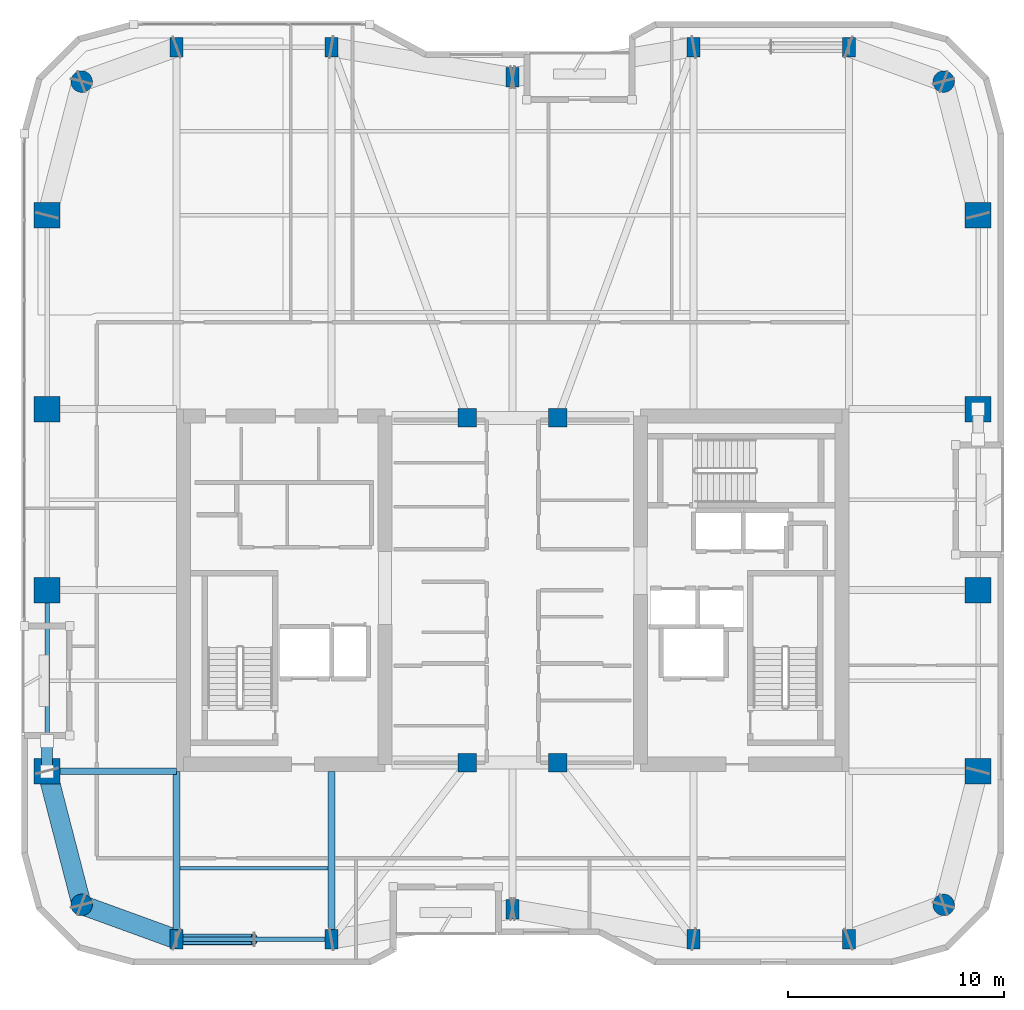
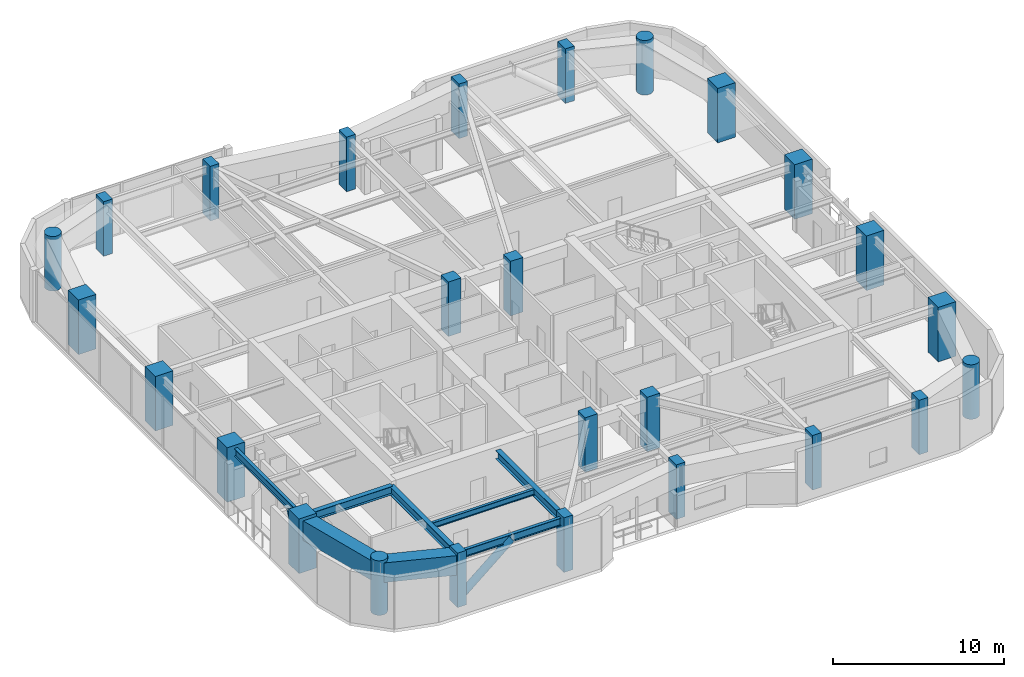
# One storey, part 1 of 21: 26 columns, 8 beams, 2 members.
"""IFC4 building model written with IfcOpenShell, lengths in metres."""

from ifc_helpers import new_model, si_unit, direction, frame, origin, origin_2d, place, context, subcontext, project, spatial, rectangle, hollow_rectangle, circle, hollow_circle, i_section, extrude, material, material_profile, profile_set, type_object, element, save


model = new_model("IFC4")

# Units and contexts
model_context = context("Model", 3, precision=1e-05, world=origin(), true_north=direction((0.0, 1.0)))
body_context = subcontext(model_context, "Body", "Model", "MODEL_VIEW")
ifc_project = project(units=[si_unit("LENGTHUNIT", "METRE"), si_unit("AREAUNIT", "SQUARE_METRE"), si_unit("VOLUMEUNIT", "CUBIC_METRE"), si_unit("PLANEANGLEUNIT", "RADIAN"), si_unit("MASSUNIT", "GRAM", prefix="KILO")], contexts=[model_context])

# Site, building, storey
site_placement = place(None, origin())
site = spatial("IfcSite", under=ifc_project, at=site_placement, CompositionType="ELEMENT")
building_placement = place(site_placement, origin())
building = spatial("IfcBuilding", under=site, at=building_placement, Name="Kiyonajd Concourse Tower", CompositionType="ELEMENT")
storey_placement = place(building_placement, frame((0.0, 0.0, 223.199951171875)))
storey = spatial("IfcBuildingStorey", under=building, at=storey_placement, Name="L56", CompositionType="ELEMENT", Elevation=223.199951171875)

# Columns
ifc_material_1 = material(Name="Concrete C60/75", Category="concrete")
ifc_material_profile_1 = material_profile(ifc_material_1, rectangle(XDim=0.60009765625, YDim=0.89990234375, at=origin_2d()), Name="RC-900x600")
ifc_profile_set_1 = profile_set([ifc_material_profile_1], Name="Concrete C60/75")
column_type_1 = type_object("IfcColumnType", Name="CL-BLADE-900", PredefinedType="COLUMN", material=ifc_profile_set_1)
for number, where, z_axis, x_axis, name in (
    (1, (32.39990234375, 19.800048828125, 0.0), (0.0, 0.0, 1.0), (1.0, 0.0, 0.0), "L56 Perimeter Bundled Tube Column"),
    (2, (32.39990234375, 61.199951171875, 0.0), (0.0, 0.0, 1.0), (1.0, 0.0, 0.0), "L56 Perimeter Bundled Tube Column"),
    (3, (39.60009765625, 19.800048828125, 0.0), (0.0, 0.0, 1.0), (1.0, 0.0, 0.0), "L56 Perimeter Bundled Tube Column"),
    (4, (39.60009765625, 61.199951171875, 0.0), (0.0, 0.0, 1.0), (1.0, 0.0, 0.0), "L56 Perimeter Bundled Tube Column"),
    (5, (48.0, 21.199951171875, 0.0), (0.0, 0.0, 1.0), (1.0, 0.0, 0.0), "L56 Perimeter Bundled Tube Column"),
    (6, (48.0, 59.800048828125, 0.0), (0.0, 0.0, 1.0), (1.0, 0.0, 0.0), "L56 Perimeter Bundled Tube Column"),
    (7, (56.39990234375, 19.800048828125, 0.0), (0.0, 0.0, 1.0), (1.0, 0.0, 0.0), "L56 Perimeter Bundled Tube Column"),
    (8, (56.39990234375, 61.199951171875, 0.0), (0.0, 0.0, 1.0), (1.0, 0.0, 0.0), "L56 Perimeter Bundled Tube Column"),
    (9, (63.60009765625, 19.800048828125, 0.0), (0.0, 0.0, 1.0), (1.0, 0.0, 0.0), "L56 Perimeter Bundled Tube Column"),
    (10, (63.60009765625, 61.199951171875, 0.0), (0.0, 0.0, 1.0), (1.0, 0.0, 0.0), "L56 Perimeter Bundled Tube Column"),
):
    element("IfcColumn", number, at=place(storey_placement, frame(where, z_axis=z_axis, x_axis=x_axis)), inside=storey, type_object=column_type_1, Name=name, PredefinedType="COLUMN", context=body_context, shape_type="SweptSolid", body=[
        extrude(rectangle(XDim=0.60009765625, YDim=0.89990234375, at=origin_2d()), origin(), (0.0, 0.0, 1.0), 3.900146484375),
    ])
ifc_material_profile_2 = material_profile(ifc_material_1, circle(Radius=0.5, at=origin_2d()), Name="RCC-D1000")
ifc_profile_set_2 = profile_set([ifc_material_profile_2], Name="Concrete C60/75")
column_type_2 = type_object("IfcColumnType", Name="CL-RND-1000", PredefinedType="COLUMN", material=ifc_profile_set_2)
for number, where, z_axis, x_axis, name in (
    (11, (28.0, 21.39990234375, 0.0), (0.0, 0.0, 1.0), (1.0, 0.0, 0.0), "L56 Bundled Tube Corner Column South West"),
    (12, (68.0, 21.39990234375, 0.0), (0.0, 0.0, 1.0), (1.0, 0.0, 0.0), "L56 Bundled Tube Corner Column South East"),
    (13, (68.0, 59.60009765625, 0.0), (0.0, 0.0, 1.0), (1.0, 0.0, 0.0), "L56 Bundled Tube Corner Column North East"),
    (14, (28.0, 59.60009765625, 0.0), (0.0, 0.0, 1.0), (1.0, 0.0, 0.0), "L56 Bundled Tube Corner Column North West"),
):
    element("IfcColumn", number, at=place(storey_placement, frame(where, z_axis=z_axis, x_axis=x_axis)), inside=storey, type_object=column_type_2, Name=name, PredefinedType="COLUMN", context=body_context, shape_type="SweptSolid", body=[
        extrude(circle(Radius=0.5, at=origin_2d()), origin(), (0.0, 0.0, 1.0), 3.900146484375),
    ])
ifc_material_2 = material(Name="Concrete C70/85", Category="concrete")
ifc_material_profile_3 = material_profile(ifc_material_2, rectangle(XDim=1.199951171875, YDim=1.199951171875, at=origin_2d()), Name="RC-1200x1200")
ifc_profile_set_3 = profile_set([ifc_material_profile_3], Name="Concrete C70/85")
column_type_3 = type_object("IfcColumnType", Name="CL-TUBE-1200", PredefinedType="COLUMN", material=ifc_profile_set_3)
for number, where, z_axis, x_axis, name in (
    (15, (26.39990234375, 27.60009765625, 0.0), (0.0, 0.0, 1.0), (1.0, 0.0, 0.0), "L56 Perimeter Bundled Tube Column"),
    (16, (69.60009765625, 27.60009765625, 0.0), (0.0, 0.0, 1.0), (1.0, 0.0, 0.0), "L56 Perimeter Bundled Tube Column"),
    (17, (26.39990234375, 36.0, 0.0), (0.0, 0.0, 1.0), (1.0, 0.0, 0.0), "L56 Perimeter Bundled Tube Column"),
    (18, (69.60009765625, 36.0, 0.0), (0.0, 0.0, 1.0), (1.0, 0.0, 0.0), "L56 Perimeter Bundled Tube Column"),
    (19, (26.39990234375, 44.39990234375, 0.0), (0.0, 0.0, 1.0), (1.0, 0.0, 0.0), "L56 Perimeter Bundled Tube Column"),
    (20, (69.60009765625, 44.39990234375, 0.0), (0.0, 0.0, 1.0), (1.0, 0.0, 0.0), "L56 Perimeter Bundled Tube Column"),
    (21, (26.39990234375, 53.39990234375, 0.0), (0.0, 0.0, 1.0), (1.0, 0.0, 0.0), "L56 Perimeter Bundled Tube Column"),
    (22, (69.60009765625, 53.39990234375, 0.0), (0.0, 0.0, 1.0), (1.0, 0.0, 0.0), "L56 Perimeter Bundled Tube Column"),
):
    element("IfcColumn", number, at=place(storey_placement, frame(where, z_axis=z_axis, x_axis=x_axis)), inside=storey, type_object=column_type_3, Name=name, PredefinedType="COLUMN", context=body_context, shape_type="SweptSolid", body=[
        extrude(rectangle(XDim=1.199951171875, YDim=1.199951171875, at=origin_2d()), origin(), (0.0, 0.0, 1.0), 3.900146484375),
    ])
ifc_material_profile_4 = material_profile(ifc_material_1, rectangle(XDim=0.85009765625, YDim=0.85009765625, at=origin_2d()), Name="RC-850x850")
ifc_profile_set_4 = profile_set([ifc_material_profile_4], Name="Concrete C60/75")
column_type_4 = type_object("IfcColumnType", Name="CL-TUBE-850", PredefinedType="COLUMN", material=ifc_profile_set_4)
for number, where, z_axis, x_axis, name in (
    (23, (45.89990234375, 28.0, 0.0), (0.0, 0.0, 1.0), (1.0, 0.0, 0.0), "L56 Core Tie Column South West"),
    (24, (50.10009765625, 28.0, 0.0), (0.0, 0.0, 1.0), (1.0, 0.0, 0.0), "L56 Core Tie Column South East"),
    (25, (45.89990234375, 44.0, 0.0), (0.0, 0.0, 1.0), (1.0, 0.0, 0.0), "L56 Core Tie Column North West"),
    (26, (50.10009765625, 44.0, 0.0), (0.0, 0.0, 1.0), (1.0, 0.0, 0.0), "L56 Core Tie Column North East"),
):
    element("IfcColumn", number, at=place(storey_placement, frame(where, z_axis=z_axis, x_axis=x_axis)), inside=storey, type_object=column_type_4, Name=name, PredefinedType="COLUMN", context=body_context, shape_type="SweptSolid", body=[
        extrude(rectangle(XDim=0.85009765625, YDim=0.85009765625, at=origin_2d()), origin(), (0.0, 0.0, 1.0), 3.900146484375),
    ])

# Beams
ifc_material_3 = material(Name="Steel ASTM A992 Grade 50", Category="steel")
ifc_material_profile_5 = material_profile(ifc_material_3, i_section(OverallWidth=0.180908203125, OverallDepth=0.4169921875, WebThickness=0.010986328125, FlangeThickness=0.018310546875, at=origin_2d()), Name="W410X85")
ifc_profile_set_5 = profile_set([ifc_material_profile_5], Name="Steel ASTM A992 Grade 50")
beam_type_1 = type_object("IfcBeamType", Name="BM-JST-410", PredefinedType="JOIST", material=ifc_profile_set_5)
beam_1_placement = place(storey_placement, frame((32.56201171875, 23.10009765625, 3.471435546875), z_axis=(1.0, 0.0, 0.0), x_axis=(0.0, 1.0, 0.0)))
element("IfcBeam", 27, at=beam_1_placement, inside=storey, type_object=beam_type_1, Name="L56 Secondary Floor Joist", PredefinedType="JOIST", context=body_context, shape_type="SweptSolid", body=[
    extrude(i_section(OverallWidth=0.180908203125, OverallDepth=0.4169921875, WebThickness=0.010986328125, FlangeThickness=0.018310546875, at=origin_2d()), origin(), (0.0, 0.0, 1.0), 6.8759765625),
])
ifc_material_profile_6 = material_profile(ifc_material_3, i_section(OverallWidth=0.214111328125, OverallDepth=0.549072265625, WebThickness=0.0146484375, FlangeThickness=0.023681640625, at=origin_2d()), Name="W530X138")
ifc_profile_set_6 = profile_set([ifc_material_profile_6], Name="Steel ASTM A992 Grade 50")
beam_type_2 = type_object("IfcBeamType", Name="BM-SPAN-530A", PredefinedType="SPANDREL", material=ifc_profile_set_6)
beam_2_placement = place(storey_placement, frame((32.39990234375, 19.800048828125, 3.405517578125), z_axis=(1.0, 0.0, 0.0), x_axis=(0.0, 1.0, 0.0)))
element("IfcBeam", 28, at=beam_2_placement, inside=storey, type_object=beam_type_2, Name="L56 Perimeter Bundled Tube Spandrel", PredefinedType="SPANDREL", context=body_context, shape_type="SweptSolid", body=[
    extrude(i_section(OverallWidth=0.214111328125, OverallDepth=0.549072265625, WebThickness=0.0146484375, FlangeThickness=0.023681640625, at=origin_2d()), origin(), (0.0, 0.0, 1.0), 7.2001953125),
])
beam_3_placement = place(storey_placement, frame((26.39990234375, 36.0, 3.405517578125), z_axis=(0.0, -1.0, 0.0), x_axis=(1.0, 0.0, 0.0)))
element("IfcBeam", 29, at=beam_3_placement, inside=storey, type_object=beam_type_2, Name="L56 Perimeter Bundled Tube Spandrel", PredefinedType="SPANDREL", context=body_context, shape_type="SweptSolid", body=[
    extrude(i_section(OverallWidth=0.214111328125, OverallDepth=0.549072265625, WebThickness=0.0146484375, FlangeThickness=0.023681640625, at=origin_2d()), origin(), (0.0, 0.0, 1.0), 8.39990234375),
])
ifc_material_profile_7 = material_profile(ifc_material_3, i_section(OverallWidth=0.323974609375, OverallDepth=0.611083984375, WebThickness=0.0126953125, FlangeThickness=0.01904296875, at=origin_2d()), Name="W610X155")
ifc_profile_set_7 = profile_set([ifc_material_profile_7], Name="Steel ASTM A992 Grade 50")
beam_type_3 = type_object("IfcBeamType", Name="BM-TWR-610B", PredefinedType="BEAM", material=ifc_profile_set_7)
for number, where, z_axis, x_axis, name in (
    (30, (32.39990234375, 19.800048828125, 3.37451171875), (0.0, 1.0, 0.0), (-1.0, 0.0, 0.0), "L56 South Lease Girder"),
    (31, (39.60009765625, 19.800048828125, 3.37451171875), (0.0, 1.0, 0.0), (-1.0, 0.0, 0.0), "L56 South Lease Girder"),
):
    element("IfcBeam", number, at=place(storey_placement, frame(where, z_axis=z_axis, x_axis=x_axis)), inside=storey, type_object=beam_type_3, Name=name, PredefinedType="BEAM", context=body_context, shape_type="SweptSolid", body=[
        extrude(i_section(OverallWidth=0.323974609375, OverallDepth=0.611083984375, WebThickness=0.0126953125, FlangeThickness=0.01904296875, at=origin_2d()), origin(), (0.0, 0.0, 1.0), 7.800048828125),
    ])
beam_4_placement = place(storey_placement, frame((26.39990234375, 27.60009765625, 3.37451171875), z_axis=(1.0, 0.0, 0.0), x_axis=(0.0, 1.0, 0.0)))
element("IfcBeam", 32, at=beam_4_placement, inside=storey, type_object=beam_type_3, Name="L56 West Lease Girder", PredefinedType="BEAM", context=body_context, shape_type="SweptSolid", body=[
    extrude(i_section(OverallWidth=0.323974609375, OverallDepth=0.611083984375, WebThickness=0.0126953125, FlangeThickness=0.01904296875, at=origin_2d()), origin(), (0.0, 0.0, 1.0), 6.0),
])
ifc_material_4 = material(Name="Steel ASTM A572 Grade 50", Category="steel")
ifc_material_profile_8 = material_profile(ifc_material_4, hollow_rectangle(XDim=0.89990234375, YDim=1.39990234375, WallThickness=0.070068359375, at=origin_2d()), Name="BOX-1400x900x70")
ifc_profile_set_8 = profile_set([ifc_material_profile_8], Name="Steel ASTM A572 Grade 50")
beam_type_4 = type_object("IfcBeamType", Name="BM-XFER-1400", PredefinedType="BEAM", material=ifc_profile_set_8)
beam_5_placement = place(storey_placement, frame((26.39990234375, 27.60009765625, 2.97998046875), z_axis=(0.249884937687, -0.968275538221, 0.0), x_axis=(0.968275538221, 0.249884937687, 0.0)))
element("IfcBeam", 33, at=beam_5_placement, inside=storey, type_object=beam_type_4, Name="L56 Perimeter Bundled Tube Spandrel", PredefinedType="BEAM", context=body_context, shape_type="SweptSolid", body=[
    extrude(hollow_rectangle(XDim=0.89990234375, YDim=1.39990234375, WallThickness=0.070068359375, at=origin_2d()), origin(), (0.0, 0.0, 1.0), 6.4033203125),
])
beam_6_placement = place(storey_placement, frame((28.0, 21.39990234375, 2.97998046875), z_axis=(0.939801036019, -0.341722127901, 0.0), x_axis=(0.341722127901, 0.939801036019, 0.0)))
element("IfcBeam", 34, at=beam_6_placement, inside=storey, type_object=beam_type_4, Name="L56 Perimeter Bundled Tube Spandrel", PredefinedType="BEAM", context=body_context, shape_type="SweptSolid", body=[
    extrude(hollow_rectangle(XDim=0.89990234375, YDim=1.39990234375, WallThickness=0.070068359375, at=origin_2d()), origin(), (0.0, 0.0, 1.0), 4.681640625),
])

# Members
ifc_material_5 = material(Name="Steel ASTM A500 Grade C", Category="steel")
ifc_material_profile_9 = material_profile(ifc_material_5, hollow_circle(Radius=0.25390625, WallThickness=0.02197265625, at=origin_2d()), Name="CHS-508x22")
ifc_profile_set_9 = profile_set([ifc_material_profile_9], Name="Steel ASTM A500 Grade C")
member_type = type_object("IfcMemberType", Name="MB-PB-MID", PredefinedType="BRACE", material=ifc_profile_set_9)
member_1_placement = place(storey_placement, frame((32.39990234375, 19.800048828125, 0.300048828125), z_axis=(0.765082043761, 0.0, 0.643932811957), x_axis=(0.0, 1.0, 0.0)))
element("IfcMember", 35, at=member_1_placement, inside=storey, type_object=member_type, Name="L56 Upper Zone Hollow Tube Brace PBS", PredefinedType="BRACE", context=body_context, shape_type="SweptSolid", body=[
    extrude(hollow_circle(Radius=0.25390625, WallThickness=0.02197265625, at=origin_2d()), origin(), (0.0, 0.0, 1.0), 4.70556640625),
])
member_2_placement = place(storey_placement, frame((26.39990234375, 27.60009765625, 0.300048828125), z_axis=(0.0, 0.419410666774, 0.907796614114), x_axis=(-1.0, 0.0, 0.0)))
element("IfcMember", 36, at=member_2_placement, inside=storey, type_object=member_type, Name="L56 Upper Zone Hollow Tube Brace PBW", PredefinedType="BRACE", context=body_context, shape_type="SweptSolid", body=[
    extrude(hollow_circle(Radius=0.25390625, WallThickness=0.02197265625, at=origin_2d()), origin(), (0.0, 0.0, 1.0), 3.337890625),
])

save(model, "model.ifc")
